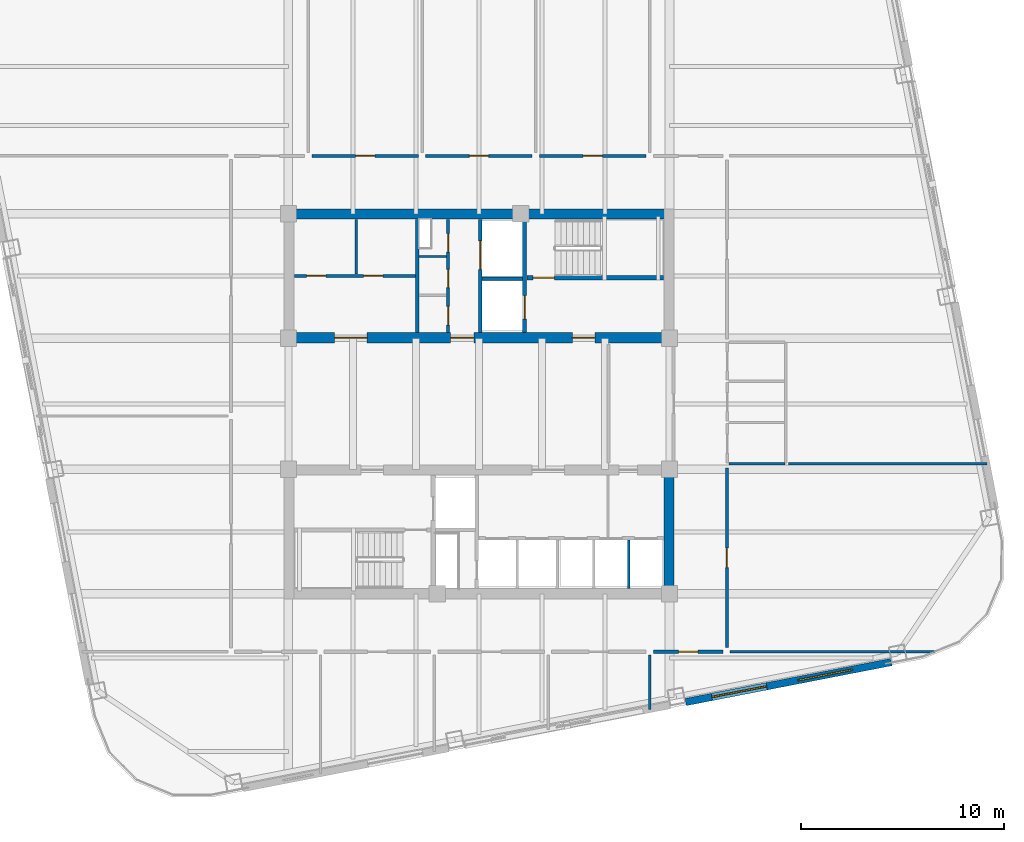
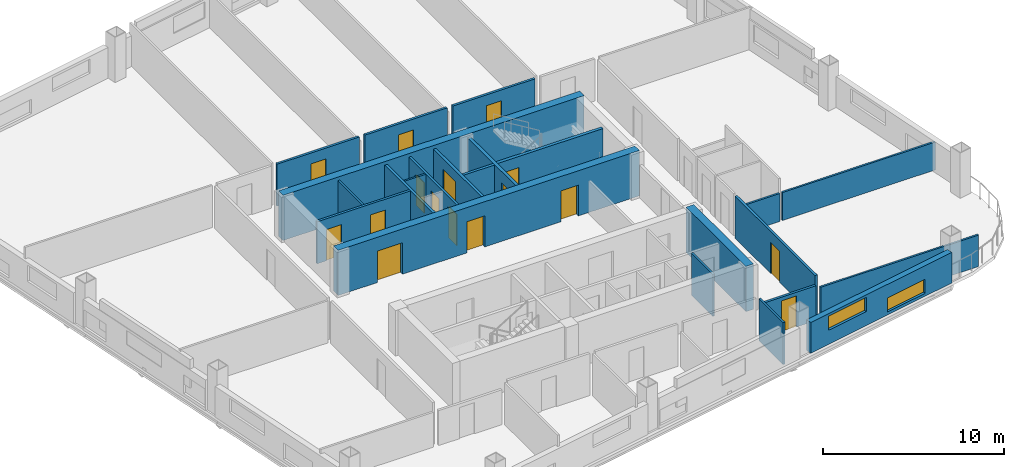
# One storey, part 4 of 9: 23 walls, 16 doors, 2 windows, 18 openings.
"""IFC4 building model written with IfcOpenShell, lengths in metres."""

from ifc_helpers import new_model, si_unit, direction, frame, frame_2d, origin, place, context, subcontext, project, spatial, rectangle, extrude, material, layer, layer_set, type_object, element, fill, save


model = new_model("IFC4")

# Units and contexts
model_context = context("Model", 3, precision=1e-05, world=origin(), true_north=direction((0.0, 1.0)))
body_context = subcontext(model_context, "Body", "Model", "MODEL_VIEW")
ifc_project = project(units=[si_unit("LENGTHUNIT", "METRE"), si_unit("AREAUNIT", "SQUARE_METRE"), si_unit("VOLUMEUNIT", "CUBIC_METRE"), si_unit("PLANEANGLEUNIT", "RADIAN"), si_unit("MASSUNIT", "GRAM", prefix="KILO")], contexts=[model_context])

# Site, building, storey
site_placement = place(None, origin())
site = spatial("IfcSite", under=ifc_project, at=site_placement, CompositionType="ELEMENT")
building_placement = place(site_placement, origin())
building = spatial("IfcBuilding", under=site, at=building_placement, Name="Qhalaya Broadcast Tower", CompositionType="ELEMENT")
storey_placement = place(building_placement, frame((0.0, 0.0, 121.949951171875)))
storey = spatial("IfcBuildingStorey", under=building, at=storey_placement, Name="L35", CompositionType="ELEMENT", Elevation=121.949951171875)

# Wall, openings, doors
ifc_material_1 = material(Name="Gypsum Acoustic Partition")
ifc_layer_1 = layer(ifc_material_1, 0.14990234375, Name="Gypsum Acoustic Partition")
ifc_layer_set_1 = layer_set([ifc_layer_1], Name="Gypsum Acoustic Partition")
wall_type_1 = type_object("IfcWallType", Name="Corridor & Tenancy Acoustic Partition 150", PredefinedType="PARTITIONING", material=ifc_layer_set_1)
wall_1_placement = place(storey_placement, frame((-1.52001953125, 4.1201171875, 0.0), z_axis=(0.0, 0.0, 1.0), x_axis=(0.0, 1.0, 0.0)))
wall_1 = element("IfcWall", 1, at=wall_1_placement, inside=storey, type_object=wall_type_1, Name="L35 Partition Wall NCW-SVL", PredefinedType="PARTITIONING", context=body_context, shape_type="SweptSolid", body=[
    extrude(rectangle(XDim=5.559814453125, YDim=0.14990234375, at=frame_2d((2.77978515625, 0.0))), origin(), (0.0, 0.0, 1.0), 2.830078125),
])
opening_1_placement = place(wall_1_placement, frame((3.949951171875, 0.0, 0.0)))
opening_1 = element("IfcOpeningElement", 2, at=opening_1_placement, cuts=wall_1, Name="Opening D06", PredefinedType="OPENING", context=body_context, shape_type="SweptSolid", body=[
    extrude(rectangle(XDim=0.89990234375, YDim=2.050048828125, at=frame_2d((0.449951171875, 1.02490234375))), frame((0.0, 0.0869140625, 0.0), z_axis=(0.0, -1.0, 0.0), x_axis=(1.0, 0.0, 0.0)), (0.0, 0.0, 1.0), 0.173828125),
])
opening_2_placement = place(wall_1_placement, frame((2.199951171875, 0.0, 0.0)))
opening_2 = element("IfcOpeningElement", 3, at=opening_2_placement, cuts=wall_1, Name="Opening D06", PredefinedType="OPENING", context=body_context, shape_type="SweptSolid", body=[
    extrude(rectangle(XDim=0.89990234375, YDim=2.050048828125, at=frame_2d((0.449951171875, 1.02490234375))), frame((0.0, 0.0869140625, 0.0), z_axis=(0.0, -1.0, 0.0), x_axis=(1.0, 0.0, 0.0)), (0.0, 0.0, 1.0), 0.173828125),
])
opening_3_placement = place(wall_1_placement, frame((0.35009765625, 0.0, 0.0)))
opening_3 = element("IfcOpeningElement", 4, at=opening_3_placement, cuts=wall_1, Name="Opening D12", PredefinedType="OPENING", context=body_context, shape_type="SweptSolid", body=[
    extrude(rectangle(XDim=0.919921875, YDim=2.10009765625, at=frame_2d((0.4599609375, 1.050048828125))), frame((0.0, 0.0869140625, 0.0), z_axis=(0.0, -1.0, 0.0), x_axis=(1.0, 0.0, 0.0)), (0.0, 0.0, 1.0), 0.173828125),
])
ifc_material_2 = material(Name="Timber Veneer Acoustic Door", Category="wood")
door_type_1 = type_object("IfcDoorType", Name="Accessible WC & Restroom Door D12", OperationType="NOTDEFINED", PredefinedType="DOOR", material=ifc_material_2)
door_1_placement = place(opening_3_placement, origin())
door_1 = element("IfcDoor", 5, at=door_1_placement, inside=storey, type_object=door_type_1, Name="L35 Door D-NCWC", OperationType="SINGLE_SWING_RIGHT", OverallHeight=2.10009765625, OverallWidth=0.919921875, PredefinedType="DOOR", context=body_context, shape_type="SweptSolid", body=[
    extrude(rectangle(XDim=0.919921875, YDim=2.10009765625, at=frame_2d((0.4599609375, 1.050048828125))), frame((0.0, 0.02490234375, 0.0), z_axis=(0.0, -1.0, 0.0), x_axis=(1.0, 0.0, 0.0)), (0.0, 0.0, 1.0), 0.050048828125),
])
fill(opening_3, door_1)
ifc_material_3 = material(Name="Fire-Rated Steel Door", Category="steel")
door_type_2 = type_object("IfcDoorType", Name="Riser & Electrical Shaft Access Door D06", OperationType="NOTDEFINED", PredefinedType="DOOR", material=ifc_material_3)
door_2_placement = place(opening_1_placement, origin())
door_2 = element("IfcDoor", 6, at=door_2_placement, inside=storey, type_object=door_type_2, Name="L35 Riser Shaft Access Door D-NRSR", OperationType="SINGLE_SWING_RIGHT", OverallHeight=2.050048828125, OverallWidth=0.89990234375, PredefinedType="DOOR", context=body_context, shape_type="SweptSolid", body=[
    extrude(rectangle(XDim=0.89990234375, YDim=2.050048828125, at=frame_2d((0.449951171875, 1.02490234375))), frame((0.0, 0.02490234375, 0.0), z_axis=(0.0, -1.0, 0.0), x_axis=(1.0, 0.0, 0.0)), (0.0, 0.0, 1.0), 0.050048828125),
])
fill(opening_1, door_2)
door_3_placement = place(opening_2_placement, origin())
door_3 = element("IfcDoor", 7, at=door_3_placement, inside=storey, type_object=door_type_2, Name="L35 Door D-NITR", OperationType="SINGLE_SWING_LEFT", OverallHeight=2.050048828125, OverallWidth=0.89990234375, PredefinedType="DOOR", context=body_context, shape_type="SweptSolid", body=[
    extrude(rectangle(XDim=0.89990234375, YDim=2.050048828125, at=frame_2d((0.449951171875, 1.02490234375))), frame((0.0, 0.02490234375, 0.0), z_axis=(0.0, -1.0, 0.0), x_axis=(1.0, 0.0, 0.0)), (0.0, 0.0, 1.0), 0.050048828125),
])
fill(opening_2, door_3)

wall_2_placement = place(storey_placement, frame((-9.080078125, 6.89990234375, 0.0), z_axis=(0.0, 0.0, 1.0), x_axis=(1.0, 0.0, 0.0)))
wall_2 = element("IfcWall", 8, at=wall_2_placement, inside=storey, type_object=wall_type_1, Name="L35 Partition Wall NCW-REC1", PredefinedType="PARTITIONING", context=body_context, shape_type="SweptSolid", body=[
    extrude(rectangle(XDim=5.9599609375, YDim=0.14990234375, at=frame_2d((2.97998046875, 0.0))), origin(), (0.0, 0.0, 1.0), 2.830078125),
])
opening_4_placement = place(wall_2_placement, frame((0.60009765625, 0.0, 0.0)))
opening_4 = element("IfcOpeningElement", 9, at=opening_4_placement, cuts=wall_2, Name="Opening D10", PredefinedType="OPENING", context=body_context, shape_type="SweptSolid", body=[
    extrude(rectangle(XDim=0.949951171875, YDim=2.10009765625, at=frame_2d((0.47509765625, 1.050048828125))), frame((0.0, 0.0869140625, 0.0), z_axis=(0.0, -1.0, 0.0), x_axis=(1.0, 0.0, 0.0)), (0.0, 0.0, 1.0), 0.173828125),
])
opening_5_placement = place(wall_2_placement, frame((3.39990234375, 0.0, 0.0)))
opening_5 = element("IfcOpeningElement", 10, at=opening_5_placement, cuts=wall_2, Name="Opening D10", PredefinedType="OPENING", context=body_context, shape_type="SweptSolid", body=[
    extrude(rectangle(XDim=0.949951171875, YDim=2.10009765625, at=frame_2d((0.47509765625, 1.050048828125))), frame((0.0, 0.0869140625, 0.0), z_axis=(0.0, -1.0, 0.0), x_axis=(1.0, 0.0, 0.0)), (0.0, 0.0, 1.0), 0.173828125),
])
door_type_3 = type_object("IfcDoorType", Name="Cellular Office & Edit Booth Door D10", OperationType="NOTDEFINED", PredefinedType="DOOR", material=ifc_material_2)
door_4_placement = place(opening_4_placement, origin())
door_4 = element("IfcDoor", 11, at=door_4_placement, inside=storey, type_object=door_type_3, Name="L35 Door D-NREC1", OperationType="SINGLE_SWING_LEFT", OverallHeight=2.10009765625, OverallWidth=0.949951171875, PredefinedType="DOOR", context=body_context, shape_type="SweptSolid", body=[
    extrude(rectangle(XDim=0.949951171875, YDim=2.10009765625, at=frame_2d((0.47509765625, 1.050048828125))), frame((0.0, 0.02490234375, 0.0), z_axis=(0.0, -1.0, 0.0), x_axis=(1.0, 0.0, 0.0)), (0.0, 0.0, 1.0), 0.050048828125),
])
fill(opening_4, door_4)
door_5_placement = place(opening_5_placement, origin())
door_5 = element("IfcDoor", 12, at=door_5_placement, inside=storey, type_object=door_type_3, Name="L35 Door D-NREC2", OperationType="SINGLE_SWING_RIGHT", OverallHeight=2.10009765625, OverallWidth=0.949951171875, PredefinedType="DOOR", context=body_context, shape_type="SweptSolid", body=[
    extrude(rectangle(XDim=0.949951171875, YDim=2.10009765625, at=frame_2d((0.47509765625, 1.050048828125))), frame((0.0, 0.02490234375, 0.0), z_axis=(0.0, -1.0, 0.0), x_axis=(1.0, 0.0, 0.0)), (0.0, 0.0, 1.0), 0.050048828125),
])
fill(opening_5, door_5)

# Wall, opening, door
wall_3_placement = place(storey_placement, frame((-8.219970703125, 12.800048828125, 0.0), z_axis=(0.0, 0.0, 1.0), x_axis=(1.0, 0.0, 0.0)))
wall_3 = element("IfcWall", 13, at=wall_3_placement, inside=storey, type_object=wall_type_1, Name="L35 Partition Wall W-COR-02", PredefinedType="PARTITIONING", context=body_context, shape_type="SweptSolid", body=[
    extrude(rectangle(XDim=5.239990234375, YDim=0.14990234375, at=frame_2d((2.6201171875, 0.0))), origin(), (0.0, 0.0, 1.0), 2.830078125),
])
opening_6_placement = place(wall_3_placement, frame((2.14501953125, 0.0, 0.0)))
opening_6 = element("IfcOpeningElement", 14, at=opening_6_placement, cuts=wall_3, Name="Opening D10", PredefinedType="OPENING", context=body_context, shape_type="SweptSolid", body=[
    extrude(rectangle(XDim=0.949951171875, YDim=2.10009765625, at=frame_2d((0.47509765625, 1.050048828125))), frame((0.0, 0.0869140625, 0.0), z_axis=(0.0, -1.0, 0.0), x_axis=(1.0, 0.0, 0.0)), (0.0, 0.0, 1.0), 0.173828125),
])
door_6_placement = place(opening_6_placement, origin())
door_6 = element("IfcDoor", 15, at=door_6_placement, inside=storey, type_object=door_type_3, Name="L35 Door D-RM02", OperationType="SINGLE_SWING_RIGHT", OverallHeight=2.10009765625, OverallWidth=0.949951171875, PredefinedType="DOOR", context=body_context, shape_type="SweptSolid", body=[
    extrude(rectangle(XDim=0.949951171875, YDim=2.10009765625, at=frame_2d((0.47509765625, 1.050048828125))), frame((0.0, 0.02490234375, 0.0), z_axis=(0.0, -1.0, 0.0), x_axis=(1.0, 0.0, 0.0)), (0.0, 0.0, 1.0), 0.050048828125),
])
fill(opening_6, door_6)

wall_4_placement = place(storey_placement, frame((-2.6201171875, 12.800048828125, 0.0), z_axis=(0.0, 0.0, 1.0), x_axis=(1.0, 0.0, 0.0)))
wall_4 = element("IfcWall", 16, at=wall_4_placement, inside=storey, type_object=wall_type_1, Name="L35 Partition Wall W-COR-03", PredefinedType="PARTITIONING", context=body_context, shape_type="SweptSolid", body=[
    extrude(rectangle(XDim=5.240234375, YDim=0.14990234375, at=frame_2d((2.6201171875, 0.0))), origin(), (0.0, 0.0, 1.0), 2.830078125),
])
opening_7_placement = place(wall_4_placement, frame((2.14501953125, 0.0, 0.0)))
opening_7 = element("IfcOpeningElement", 17, at=opening_7_placement, cuts=wall_4, Name="Opening D10", PredefinedType="OPENING", context=body_context, shape_type="SweptSolid", body=[
    extrude(rectangle(XDim=0.949951171875, YDim=2.10009765625, at=frame_2d((0.47509765625, 1.050048828125))), frame((0.0, 0.0869140625, 0.0), z_axis=(0.0, -1.0, 0.0), x_axis=(1.0, 0.0, 0.0)), (0.0, 0.0, 1.0), 0.173828125),
])
door_7_placement = place(opening_7_placement, origin())
door_7 = element("IfcDoor", 18, at=door_7_placement, inside=storey, type_object=door_type_3, Name="L35 Door D-RM03", OperationType="SINGLE_SWING_LEFT", OverallHeight=2.10009765625, OverallWidth=0.949951171875, PredefinedType="DOOR", context=body_context, shape_type="SweptSolid", body=[
    extrude(rectangle(XDim=0.949951171875, YDim=2.10009765625, at=frame_2d((0.47509765625, 1.050048828125))), frame((0.0, 0.02490234375, 0.0), z_axis=(0.0, -1.0, 0.0), x_axis=(1.0, 0.0, 0.0)), (0.0, 0.0, 1.0), 0.050048828125),
])
fill(opening_7, door_7)

wall_5_placement = place(storey_placement, frame((2.97998046875, 12.800048828125, 0.0), z_axis=(0.0, 0.0, 1.0), x_axis=(1.0, 0.0, 0.0)))
wall_5 = element("IfcWall", 19, at=wall_5_placement, inside=storey, type_object=wall_type_1, Name="L35 Partition Wall W-COR-04", PredefinedType="PARTITIONING", context=body_context, shape_type="SweptSolid", body=[
    extrude(rectangle(XDim=5.239990234375, YDim=0.14990234375, at=frame_2d((2.6201171875, 0.0))), origin(), (0.0, 0.0, 1.0), 2.830078125),
])
opening_8_placement = place(wall_5_placement, frame((2.14501953125, 0.0, 0.0)))
opening_8 = element("IfcOpeningElement", 20, at=opening_8_placement, cuts=wall_5, Name="Opening D10", PredefinedType="OPENING", context=body_context, shape_type="SweptSolid", body=[
    extrude(rectangle(XDim=0.949951171875, YDim=2.10009765625, at=frame_2d((0.47509765625, 1.050048828125))), frame((0.0, 0.0869140625, 0.0), z_axis=(0.0, -1.0, 0.0), x_axis=(1.0, 0.0, 0.0)), (0.0, 0.0, 1.0), 0.173828125),
])
door_8_placement = place(opening_8_placement, origin())
door_8 = element("IfcDoor", 21, at=door_8_placement, inside=storey, type_object=door_type_3, Name="L35 Door D-RM04", OperationType="SINGLE_SWING_RIGHT", OverallHeight=2.10009765625, OverallWidth=0.949951171875, PredefinedType="DOOR", context=body_context, shape_type="SweptSolid", body=[
    extrude(rectangle(XDim=0.949951171875, YDim=2.10009765625, at=frame_2d((0.47509765625, 1.050048828125))), frame((0.0, 0.02490234375, 0.0), z_axis=(0.0, -1.0, 0.0), x_axis=(1.0, 0.0, 0.0)), (0.0, 0.0, 1.0), 0.050048828125),
])
fill(opening_8, door_8)

wall_6_placement = place(storey_placement, frame((8.580078125, -11.60009765625, 0.0), z_axis=(0.0, 0.0, 1.0), x_axis=(1.0, 0.0, 0.0)))
wall_6 = element("IfcWall", 22, at=wall_6_placement, inside=storey, type_object=wall_type_1, Name="L35 Partition Wall W-COR-10", PredefinedType="PARTITIONING", context=body_context, shape_type="SweptSolid", body=[
    extrude(rectangle(XDim=3.43994140625, YDim=0.14990234375, at=frame_2d((1.719970703125, 0.0))), origin(), (0.0, 0.0, 1.0), 2.34716796875),
])
opening_9_placement = place(wall_6_placement, frame((1.2451171875, 0.0, 0.0)))
opening_9 = element("IfcOpeningElement", 23, at=opening_9_placement, cuts=wall_6, Name="Opening D10", PredefinedType="OPENING", context=body_context, shape_type="SweptSolid", body=[
    extrude(rectangle(XDim=0.949951171875, YDim=2.10009765625, at=frame_2d((0.47509765625, 1.050048828125))), frame((0.0, 0.0869140625, 0.0), z_axis=(0.0, -1.0, 0.0), x_axis=(1.0, 0.0, 0.0)), (0.0, 0.0, 1.0), 0.173828125),
])
door_9_placement = place(opening_9_placement, origin())
door_9 = element("IfcDoor", 24, at=door_9_placement, inside=storey, type_object=door_type_3, Name="L35 Door D-RM10", OperationType="SINGLE_SWING_RIGHT", OverallHeight=2.10009765625, OverallWidth=0.949951171875, PredefinedType="DOOR", context=body_context, shape_type="SweptSolid", body=[
    extrude(rectangle(XDim=0.949951171875, YDim=2.10009765625, at=frame_2d((0.47509765625, 1.050048828125))), frame((0.0, 0.02490234375, 0.0), z_axis=(0.0, -1.0, 0.0), x_axis=(1.0, 0.0, 0.0)), (0.0, 0.0, 1.0), 0.050048828125),
])
fill(opening_9, door_9)

wall_7_placement = place(storey_placement, frame((12.199951171875, -11.39990234375, 0.0), z_axis=(0.0, 0.0, 1.0), x_axis=(0.0, 1.0, 0.0)))
wall_7 = element("IfcWall", 25, at=wall_7_placement, inside=storey, type_object=wall_type_1, Name="L35 Partition Wall W-COR-13", PredefinedType="PARTITIONING", context=body_context, shape_type="SweptSolid", body=[
    extrude(rectangle(XDim=8.83984375, YDim=0.14990234375, at=frame_2d((4.419921875, 0.0))), origin(), (0.0, 0.0, 1.0), 2.830078125),
])
opening_10_placement = place(wall_7_placement, frame((3.945068359375, 0.0, 0.0)))
opening_10 = element("IfcOpeningElement", 26, at=opening_10_placement, cuts=wall_7, Name="Opening D10", PredefinedType="OPENING", context=body_context, shape_type="SweptSolid", body=[
    extrude(rectangle(XDim=0.949951171875, YDim=2.10009765625, at=frame_2d((0.47509765625, 1.050048828125))), frame((0.0, 0.0869140625, 0.0), z_axis=(0.0, -1.0, 0.0), x_axis=(1.0, 0.0, 0.0)), (0.0, 0.0, 1.0), 0.173828125),
])
door_10_placement = place(opening_10_placement, origin())
door_10 = element("IfcDoor", 27, at=door_10_placement, inside=storey, type_object=door_type_3, Name="L35 Door D-RM13", OperationType="SINGLE_SWING_LEFT", OverallHeight=2.10009765625, OverallWidth=0.949951171875, PredefinedType="DOOR", context=body_context, shape_type="SweptSolid", body=[
    extrude(rectangle(XDim=0.949951171875, YDim=2.10009765625, at=frame_2d((0.47509765625, 1.050048828125))), frame((0.0, 0.02490234375, 0.0), z_axis=(0.0, -1.0, 0.0), x_axis=(1.0, 0.0, 0.0)), (0.0, 0.0, 1.0), 0.050048828125),
])
fill(opening_10, door_10)

# Wall, openings, windows
ifc_material_4 = material(Name="Precast Concrete C40/50", Category="concrete")
ifc_layer_2 = layer(ifc_material_4, 0.360107421875, Name="Precast Concrete C40/50")
ifc_layer_set_2 = layer_set([ifc_layer_2], Name="Precast Concrete C40/50")
wall_type_2 = type_object("IfcWallType", Name="Insulated Precast Terracotta Exterior Wall 360", PredefinedType="SOLIDWALL", material=ifc_layer_set_2)
wall_8_placement = place(storey_placement, frame((20.29638671875, -12.10986328125, 0.0), z_axis=(0.0, 0.0, 1.0), x_axis=(-0.981628941133, -0.190799952646, 0.0)))
wall_8 = element("IfcWall", 28, at=wall_8_placement, inside=storey, type_object=wall_type_2, Name="L35 Exoskeleton Diagrid Infill Wall S1", PredefinedType="SOLIDWALL", context=body_context, shape_type="SweptSolid", body=[
    extrude(rectangle(XDim=10.31201171875, YDim=0.360107421875, at=frame_2d((5.156005859375, 0.0))), origin(), (0.0, 0.0, 1.0), 2.067138671875),
])
opening_11_placement = place(wall_8_placement, frame((1.949951171875, 0.0, 0.199951171875)))
opening_11 = element("IfcOpeningElement", 29, at=opening_11_placement, cuts=wall_8, Name="Opening W11", PredefinedType="OPENING", context=body_context, shape_type="SweptSolid", body=[
    extrude(rectangle(XDim=2.75, YDim=0.949951171875, at=frame_2d((1.375, 0.47509765625))), frame((0.0, 0.192138671875, 0.0), z_axis=(0.0, -1.0, 0.0), x_axis=(1.0, 0.0, 0.0)), (0.0, 0.0, 1.0), 0.384033203125),
])
opening_12_placement = place(wall_8_placement, frame((6.25, 0.0, 0.949951171875)))
opening_12 = element("IfcOpeningElement", 30, at=opening_12_placement, cuts=wall_8, Name="Opening W11", PredefinedType="OPENING", context=body_context, shape_type="SweptSolid", body=[
    extrude(rectangle(XDim=2.75, YDim=0.949951171875, at=frame_2d((1.375, 0.47509765625))), frame((0.0, 0.192138671875, 0.0), z_axis=(0.0, -1.0, 0.0), x_axis=(1.0, 0.0, 0.0)), (0.0, 0.0, 1.0), 0.384033203125),
])
ifc_material_5 = material(Name="Solar-Control Low-E Triple Glazing", Category="glass")
window_type = type_object("IfcWindowType", Name="Odd-Block Diagrid Infill Window W11", PartitioningType="SINGLE_PANEL", PredefinedType="WINDOW", material=ifc_material_5)
window_1_placement = place(opening_11_placement, origin())
window_1 = element("IfcWindow", 31, at=window_1_placement, inside=storey, type_object=window_type, Name="L35 Diagrid Infill Window W11-S1", OverallHeight=0.949951171875, OverallWidth=2.75, PartitioningType="SINGLE_PANEL", PredefinedType="WINDOW", context=body_context, shape_type="SweptSolid", body=[
    extrude(rectangle(XDim=2.75, YDim=0.949951171875, at=frame_2d((1.375, 0.47509765625))), frame((0.0, 0.030029296875, 0.0), z_axis=(0.0, -1.0, 0.0), x_axis=(1.0, 0.0, 0.0)), (0.0, 0.0, 1.0), 0.06005859375),
])
fill(opening_11, window_1)
window_2_placement = place(opening_12_placement, origin())
window_2 = element("IfcWindow", 32, at=window_2_placement, inside=storey, type_object=window_type, Name="L35 Diagrid Infill Window W11-S2", OverallHeight=0.949951171875, OverallWidth=2.75, PartitioningType="SINGLE_PANEL", PredefinedType="WINDOW", context=body_context, shape_type="SweptSolid", body=[
    extrude(rectangle(XDim=2.75, YDim=0.949951171875, at=frame_2d((1.375, 0.47509765625))), frame((0.0, 0.030029296875, 0.0), z_axis=(0.0, -1.0, 0.0), x_axis=(1.0, 0.0, 0.0)), (0.0, 0.0, 1.0), 0.06005859375),
])
fill(opening_12, window_2)

# Wall, opening, door
ifc_material_6 = material(Name="Concrete C50/60", Category="concrete")
ifc_layer_3 = layer(ifc_material_6, 0.199951171875, Name="Concrete C50/60")
ifc_layer_set_3 = layer_set([ifc_layer_3], Name="Concrete C50/60")
wall_type_3 = type_object("IfcWallType", Name="Load-Bearing Stair Shaft Wall 200", PredefinedType="SHEAR", material=ifc_layer_set_3)
wall_9_placement = place(storey_placement, frame((2.360107421875, 6.804931640625, 0.0), z_axis=(0.0, 0.0, 1.0), x_axis=(1.0, 0.0, 0.0)))
wall_9 = element("IfcWall", 33, at=wall_9_placement, inside=storey, type_object=wall_type_3, Name="L35 Stair Core Shear Wall NCW-ST1", PredefinedType="SHEAR", context=body_context, shape_type="SweptSolid", body=[
    extrude(rectangle(XDim=6.719970703125, YDim=0.199951171875, at=frame_2d((3.35986328125, 0.0))), origin(), (0.0, 0.0, 1.0), 2.830078125),
])
opening_13_placement = place(wall_9_placement, frame((0.300048828125, 0.0, 0.0)))
opening_13 = element("IfcOpeningElement", 34, at=opening_13_placement, cuts=wall_9, Name="Opening D03", PredefinedType="OPENING", context=body_context, shape_type="SweptSolid", body=[
    extrude(rectangle(XDim=1.050048828125, YDim=2.080078125, at=frame_2d((0.52490234375, 1.0400390625))), frame((0.0, 0.112060546875, 0.0), z_axis=(0.0, -1.0, 0.0), x_axis=(1.0, 0.0, 0.0)), (0.0, 0.0, 1.0), 0.223876953125),
])
door_type_4 = type_object("IfcDoorType", Name="Core Stair Protected Fire Door D03", OperationType="NOTDEFINED", PredefinedType="DOOR", material=ifc_material_3)
door_11_placement = place(opening_13_placement, origin())
door_11 = element("IfcDoor", 35, at=door_11_placement, inside=storey, type_object=door_type_4, Name="L35 Door D-NST1", OperationType="SINGLE_SWING_LEFT", OverallHeight=2.080078125, OverallWidth=1.050048828125, PredefinedType="DOOR", context=body_context, shape_type="SweptSolid", body=[
    extrude(rectangle(XDim=1.050048828125, YDim=2.080078125, at=frame_2d((0.52490234375, 1.0400390625))), frame((0.0, 0.02490234375, 0.0), z_axis=(0.0, -1.0, 0.0), x_axis=(1.0, 0.0, 0.0)), (0.0, 0.0, 1.0), 0.050048828125),
])
fill(opening_13, door_11)

wall_10_placement = place(storey_placement, frame((2.25, 4.1201171875, 0.0), z_axis=(0.0, 0.0, 1.0), x_axis=(0.0, 1.0, 0.0)))
wall_10 = element("IfcWall", 36, at=wall_10_placement, inside=storey, type_object=wall_type_3, Name="L35 Stair Core Shear Wall NCW-FF", PredefinedType="SHEAR", context=body_context, shape_type="SweptSolid", body=[
    extrude(rectangle(XDim=5.559814453125, YDim=0.199951171875, at=frame_2d((2.77978515625, 0.0))), origin(), (0.0, 0.0, 1.0), 2.830078125),
])
opening_14_placement = place(wall_10_placement, frame((0.64990234375, 0.0, 0.0)))
opening_14 = element("IfcOpeningElement", 37, at=opening_14_placement, cuts=wall_10, Name="Opening LD2", PredefinedType="OPENING", context=body_context, shape_type="SweptSolid", body=[
    extrude(rectangle(XDim=1.14990234375, YDim=2.080078125, at=frame_2d((0.574951171875, 1.0400390625))), frame((0.0, 0.112060546875, 0.0), z_axis=(0.0, -1.0, 0.0), x_axis=(1.0, 0.0, 0.0)), (0.0, 0.0, 1.0), 0.223876953125),
])
ifc_material_7 = material(Name="Brushed Stainless Steel Lift Door", Category="steel")
door_type_5 = type_object("IfcDoorType", Name="Firefighting Lift Sliding Landing Door LD2", OperationType="DOUBLE_DOOR_SLIDING", PredefinedType="DOOR", material=ifc_material_7)
door_12_placement = place(opening_14_placement, origin())
door_12 = element("IfcDoor", 38, at=door_12_placement, inside=storey, type_object=door_type_5, Name="L35 Door LD-FF1", OperationType="DOUBLE_DOOR_SLIDING", OverallHeight=2.080078125, OverallWidth=1.14990234375, PredefinedType="DOOR", context=body_context, shape_type="SweptSolid", body=[
    extrude(rectangle(XDim=1.14990234375, YDim=2.080078125, at=frame_2d((0.574951171875, 1.0400390625))), frame((0.0, 0.02490234375, 0.0), z_axis=(0.0, -1.0, 0.0), x_axis=(1.0, 0.0, 0.0)), (0.0, 0.0, 1.0), 0.050048828125),
])
fill(opening_14, door_12)

# Wall
ifc_layer_4 = layer(ifc_material_6, 0.5, Name="Concrete C50/60")
ifc_layer_set_4 = layer_set([ifc_layer_4], Name="Concrete C50/60")
wall_type_4 = type_object("IfcWallType", Name="Mid Split-Core Shear Wall 500", PredefinedType="SHEAR", material=ifc_layer_set_4)
wall_11_placement = place(storey_placement, frame((-9.60009765625, 9.949951171875, 0.0), z_axis=(0.0, 0.0, 1.0), x_axis=(1.0, 0.0, 0.0)))
element("IfcWall", 39, at=wall_11_placement, inside=storey, type_object=wall_type_4, Name="L35 Split-Core Shear Wall CW-NN", PredefinedType="SHEAR", context=body_context, shape_type="SweptSolid", body=[
    extrude(rectangle(XDim=19.2001953125, YDim=0.5, at=frame_2d((9.60009765625, 0.0))), origin(), (0.0, 0.0, 1.0), 3.050048828125),
])

# Wall, openings, doors
wall_12_placement = place(storey_placement, frame((-9.60009765625, 3.85009765625, 0.0), z_axis=(0.0, 0.0, 1.0), x_axis=(1.0, 0.0, 0.0)))
wall_12 = element("IfcWall", 40, at=wall_12_placement, inside=storey, type_object=wall_type_4, Name="L35 Split-Core Shear Wall CW-NS", PredefinedType="SHEAR", context=body_context, shape_type="SweptSolid", body=[
    extrude(rectangle(XDim=19.2001953125, YDim=0.5, at=frame_2d((9.60009765625, 0.0))), origin(), (0.0, 0.0, 1.0), 3.050048828125),
])
opening_15_placement = place(wall_12_placement, frame((14.199951171875, 0.0, 0.0)))
opening_15 = element("IfcOpeningElement", 41, at=opening_15_placement, cuts=wall_12, Name="Opening D04", PredefinedType="OPENING", context=body_context, shape_type="SweptSolid", body=[
    extrude(rectangle(XDim=1.10009765625, YDim=2.080078125, at=frame_2d((0.550048828125, 1.0400390625))), frame((0.0, 0.261962890625, 0.0), z_axis=(0.0, -1.0, 0.0), x_axis=(1.0, 0.0, 0.0)), (0.0, 0.0, 1.0), 0.52392578125),
])
opening_16_placement = place(wall_12_placement, frame((8.199951171875, 0.0, 0.0)))
opening_16 = element("IfcOpeningElement", 42, at=opening_16_placement, cuts=wall_12, Name="Opening D05", PredefinedType="OPENING", context=body_context, shape_type="SweptSolid", body=[
    extrude(rectangle(XDim=1.14990234375, YDim=2.10009765625, at=frame_2d((0.574951171875, 1.050048828125))), frame((0.0, 0.261962890625, 0.0), z_axis=(0.0, -1.0, 0.0), x_axis=(1.0, 0.0, 0.0)), (0.0, 0.0, 1.0), 0.52392578125),
])
opening_17_placement = place(wall_12_placement, frame((2.5, 0.0, 0.0)))
opening_17 = element("IfcOpeningElement", 43, at=opening_17_placement, cuts=wall_12, Name="Opening D07", PredefinedType="OPENING", context=body_context, shape_type="SweptSolid", body=[
    extrude(rectangle(XDim=1.60009765625, YDim=2.1201171875, at=frame_2d((0.800048828125, 1.06005859375))), frame((0.0, 0.261962890625, 0.0), z_axis=(0.0, -1.0, 0.0), x_axis=(1.0, 0.0, 0.0)), (0.0, 0.0, 1.0), 0.52392578125),
])
door_type_6 = type_object("IfcDoorType", Name="Firefighting Lobby Rated Door D04", OperationType="NOTDEFINED", PredefinedType="DOOR", material=ifc_material_3)
door_13_placement = place(opening_15_placement, origin())
door_13 = element("IfcDoor", 44, at=door_13_placement, inside=storey, type_object=door_type_6, Name="L35 Door D-NFF", OperationType="SINGLE_SWING_RIGHT", OverallHeight=2.080078125, OverallWidth=1.10009765625, PredefinedType="DOOR", context=body_context, shape_type="SweptSolid", body=[
    extrude(rectangle(XDim=1.10009765625, YDim=2.080078125, at=frame_2d((0.550048828125, 1.0400390625))), frame((0.0, 0.02490234375, 0.0), z_axis=(0.0, -1.0, 0.0), x_axis=(1.0, 0.0, 0.0)), (0.0, 0.0, 1.0), 0.050048828125),
])
fill(opening_15, door_13)
ifc_material_8 = material(Name="Anodised Aluminium Glazed Door", Category="aluminium")
door_type_7 = type_object("IfcDoorType", Name="Passenger Lift Lobby Double Glazed Door D07", OperationType="DOUBLE_DOOR_SINGLE_SWING", PredefinedType="DOOR", material=ifc_material_8)
door_14_placement = place(opening_17_placement, origin())
door_14 = element("IfcDoor", 45, at=door_14_placement, inside=storey, type_object=door_type_7, Name="L35 Door D-NRECV", OperationType="DOUBLE_DOOR_SINGLE_SWING", OverallHeight=2.1201171875, OverallWidth=1.60009765625, PredefinedType="DOOR", context=body_context, shape_type="SweptSolid", body=[
    extrude(rectangle(XDim=1.60009765625, YDim=2.1201171875, at=frame_2d((0.800048828125, 1.06005859375))), frame((0.0, 0.02490234375, 0.0), z_axis=(0.0, -1.0, 0.0), x_axis=(1.0, 0.0, 0.0)), (0.0, 0.0, 1.0), 0.050048828125),
])
fill(opening_17, door_14)
door_type_8 = type_object("IfcDoorType", Name="Refuge & Plant Room Fire Door D05", OperationType="NOTDEFINED", PredefinedType="DOOR", material=ifc_material_3)
door_15_placement = place(opening_16_placement, origin())
door_15 = element("IfcDoor", 46, at=door_15_placement, inside=storey, type_object=door_type_8, Name="L35 Door D-NSVL", OperationType="SINGLE_SWING_LEFT", OverallHeight=2.10009765625, OverallWidth=1.14990234375, PredefinedType="DOOR", context=body_context, shape_type="SweptSolid", body=[
    extrude(rectangle(XDim=1.14990234375, YDim=2.10009765625, at=frame_2d((0.574951171875, 1.050048828125))), frame((0.0, 0.02490234375, 0.0), z_axis=(0.0, -1.0, 0.0), x_axis=(1.0, 0.0, 0.0)), (0.0, 0.0, 1.0), 0.050048828125),
])
fill(opening_16, door_15)

# Walls
wall_13_placement = place(storey_placement, frame((9.35009765625, -9.0, 0.0), z_axis=(0.0, 0.0, 1.0), x_axis=(0.0, 1.0, 0.0)))
element("IfcWall", 47, at=wall_13_placement, inside=storey, type_object=wall_type_4, Name="L35 Split-Core Shear Wall CW-SE", PredefinedType="SHEAR", context=body_context, shape_type="SweptSolid", body=[
    extrude(rectangle(XDim=6.60009765625, YDim=0.5, at=frame_2d((3.300048828125, 0.0))), origin(), (0.0, 0.0, 1.0), 3.050048828125),
])
ifc_layer_5 = layer(ifc_material_1, 0.1201171875, Name="Gypsum Acoustic Partition")
ifc_layer_set_5 = layer_set([ifc_layer_5], Name="Gypsum Acoustic Partition")
wall_type_5 = type_object("IfcWallType", Name="Office, Booth & Sanitary Partition 120", PredefinedType="PARTITIONING", material=ifc_layer_set_5)
wall_14_placement = place(storey_placement, frame((-2.9599609375, 7.85009765625, 0.0), z_axis=(0.0, 0.0, 1.0), x_axis=(1.0, 0.0, 0.0)))
element("IfcWall", 48, at=wall_14_placement, inside=storey, type_object=wall_type_5, Name="L35 Partition Wall NCW-VB2", PredefinedType="PARTITIONING", context=body_context, shape_type="SweptSolid", body=[
    extrude(rectangle(XDim=1.35986328125, YDim=0.1201171875, at=frame_2d((0.679931640625, 0.0))), origin(), (0.0, 0.0, 1.0), 2.830078125),
])
wall_15_placement = place(storey_placement, frame((-6.050048828125, 6.97998046875, 0.0), z_axis=(0.0, 0.0, 1.0), x_axis=(0.0, 1.0, 0.0)))
element("IfcWall", 49, at=wall_15_placement, inside=storey, type_object=wall_type_5, Name="L35 Partition Wall NCW-REC2", PredefinedType="PARTITIONING", context=body_context, shape_type="SweptSolid", body=[
    extrude(rectangle(XDim=2.699951171875, YDim=0.1201171875, at=frame_2d((1.35009765625, 0.0))), origin(), (0.0, 0.0, 1.0), 2.830078125),
])
wall_16_placement = place(storey_placement, frame((7.360107421875, -8.47998046875, 0.0), z_axis=(0.0, 0.0, 1.0), x_axis=(0.0, 1.0, 0.0)))
element("IfcWall", 50, at=wall_16_placement, inside=storey, type_object=wall_type_5, Name="L35 Partition Wall SCW-HD7", PredefinedType="PARTITIONING", context=body_context, shape_type="SweptSolid", body=[
    extrude(rectangle(XDim=2.3798828125, YDim=0.1201171875, at=frame_2d((1.18994140625, 0.0))), origin(), (0.0, 0.0, 1.0), 2.830078125),
])
wall_17_placement = place(storey_placement, frame((12.31005859375, -2.35009765625, 0.0), z_axis=(0.0, 0.0, 1.0), x_axis=(1.0, 0.0, 0.0)))
element("IfcWall", 51, at=wall_17_placement, inside=storey, type_object=wall_type_5, Name="L35 Partition Wall W-WCS", PredefinedType="PARTITIONING", context=body_context, shape_type="SweptSolid", body=[
    extrude(rectangle(XDim=2.760009765625, YDim=0.1201171875, at=frame_2d((1.3798828125, 0.0))), origin(), (0.0, 0.0, 1.0), 1.883056640625),
])
wall_18_placement = place(storey_placement, frame((12.340087890625, -11.60009765625, 0.0), z_axis=(0.0, 0.0, 1.0), x_axis=(1.0, 0.0, 0.0)))
element("IfcWall", 52, at=wall_18_placement, inside=storey, type_object=wall_type_5, Name="L35 Partition Wall W-BNDE2", PredefinedType="PARTITIONING", context=body_context, shape_type="SweptSolid", body=[
    extrude(rectangle(XDim=10.06640625, YDim=0.1201171875, at=frame_2d((5.033203125, 0.0))), origin(), (0.0, 0.0, 1.0), 2.126953125),
])
wall_19_placement = place(storey_placement, frame((8.39990234375, -14.442626953125, 0.0), z_axis=(0.0, 0.0, 1.0), x_axis=(0.0, 1.0, 0.0)))
element("IfcWall", 53, at=wall_19_placement, inside=storey, type_object=wall_type_5, Name="L35 Partition Wall W-DIVS4", PredefinedType="PARTITIONING", context=body_context, shape_type="SweptSolid", body=[
    extrude(rectangle(XDim=2.6826171875, YDim=0.1201171875, at=frame_2d((1.34130859375, 0.0))), origin(), (0.0, 0.0, 1.0), 2.830078125),
])
wall_20_placement = place(storey_placement, frame((15.239990234375, -2.35009765625, 0.0), z_axis=(0.0, 0.0, 1.0), x_axis=(1.0, 0.0, 0.0)))
element("IfcWall", 54, at=wall_20_placement, inside=storey, type_object=wall_type_5, Name="L35 Partition Wall W-DIVE-WC", PredefinedType="PARTITIONING", context=body_context, shape_type="SweptSolid", body=[
    extrude(rectangle(XDim=9.748291015625, YDim=0.1201171875, at=frame_2d((4.8740234375, 0.0))), origin(), (0.0, 0.0, 1.0), 1.883056640625),
])

# Wall, opening, door
ifc_layer_6 = layer(ifc_material_1, 0.175048828125, Name="Gypsum Acoustic Partition")
ifc_layer_set_6 = layer_set([ifc_layer_6], Name="Gypsum Acoustic Partition")
wall_type_6 = type_object("IfcWallType", Name="Shaft & Riser Fire Partition 175", PredefinedType="PARTITIONING", material=ifc_layer_set_6)
wall_21_placement = place(storey_placement, frame((0.06005859375, 4.1201171875, 0.0), z_axis=(0.0, 0.0, 1.0), x_axis=(0.0, 1.0, 0.0)))
wall_21 = element("IfcWall", 55, at=wall_21_placement, inside=storey, type_object=wall_type_6, Name="L35 Partition Wall NCW-SVW", PredefinedType="PARTITIONING", context=body_context, shape_type="SweptSolid", body=[
    extrude(rectangle(XDim=5.559814453125, YDim=0.175048828125, at=frame_2d((2.77978515625, 0.0))), origin(), (0.0, 0.0, 1.0), 2.830078125),
])
opening_18_placement = place(wall_21_placement, frame((3.10009765625, 0.0, 0.0)))
opening_18 = element("IfcOpeningElement", 56, at=opening_18_placement, cuts=wall_21, Name="Opening LD3", PredefinedType="OPENING", context=body_context, shape_type="SweptSolid", body=[
    extrude(rectangle(XDim=1.39990234375, YDim=2.1201171875, at=frame_2d((0.699951171875, 1.06005859375))), frame((0.0, 0.099609375, 0.0), z_axis=(0.0, -1.0, 0.0), x_axis=(1.0, 0.0, 0.0)), (0.0, 0.0, 1.0), 0.198974609375),
])
door_type_9 = type_object("IfcDoorType", Name="Service Lift Wide Sliding Landing Door LD3", OperationType="DOUBLE_DOOR_SLIDING", PredefinedType="DOOR", material=ifc_material_7)
door_16_placement = place(opening_18_placement, origin())
door_16 = element("IfcDoor", 57, at=door_16_placement, inside=storey, type_object=door_type_9, Name="L35 Door LD-SV1", OperationType="DOUBLE_DOOR_SLIDING", OverallHeight=2.1201171875, OverallWidth=1.39990234375, PredefinedType="DOOR", context=body_context, shape_type="SweptSolid", body=[
    extrude(rectangle(XDim=1.39990234375, YDim=2.1201171875, at=frame_2d((0.699951171875, 1.06005859375))), frame((0.0, 0.02490234375, 0.0), z_axis=(0.0, -1.0, 0.0), x_axis=(1.0, 0.0, 0.0)), (0.0, 0.0, 1.0), 0.050048828125),
])
fill(opening_18, door_16)

# Walls
wall_22_placement = place(storey_placement, frame((0.159912109375, 6.75, 0.0), z_axis=(0.0, 0.0, 1.0), x_axis=(1.0, 0.0, 0.0)))
element("IfcWall", 58, at=wall_22_placement, inside=storey, type_object=wall_type_6, Name="L35 Partition Wall NCW-SVM", PredefinedType="PARTITIONING", context=body_context, shape_type="SweptSolid", body=[
    extrude(rectangle(XDim=1.97998046875, YDim=0.175048828125, at=frame_2d((0.989990234375, 0.0))), origin(), (0.0, 0.0, 1.0), 2.830078125),
])
wall_23_placement = place(storey_placement, frame((-3.0400390625, 4.1201171875, 0.0), z_axis=(0.0, 0.0, 1.0), x_axis=(0.0, 1.0, 0.0)))
element("IfcWall", 59, at=wall_23_placement, inside=storey, type_object=wall_type_6, Name="L35 Partition Wall NCW-VRW", PredefinedType="PARTITIONING", context=body_context, shape_type="SweptSolid", body=[
    extrude(rectangle(XDim=5.559814453125, YDim=0.175048828125, at=frame_2d((2.77978515625, 0.0))), origin(), (0.0, 0.0, 1.0), 2.830078125),
])

save(model, "model.ifc")
